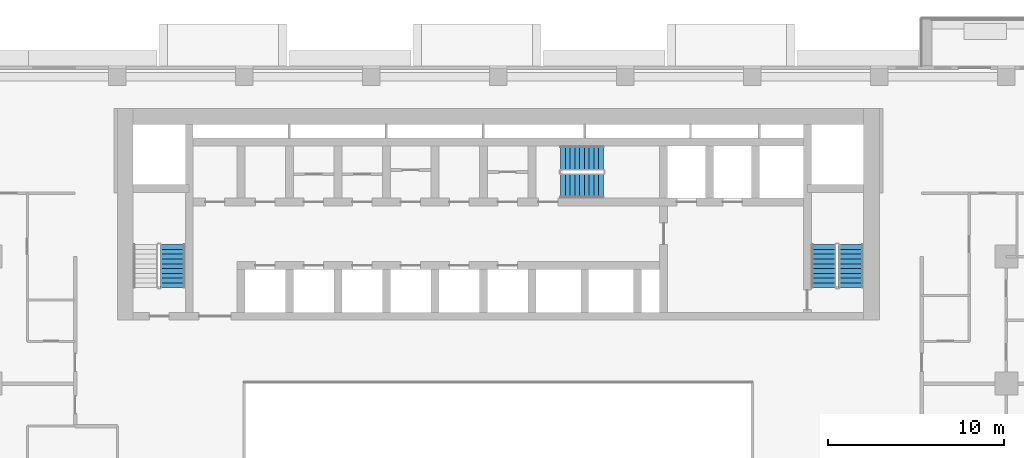
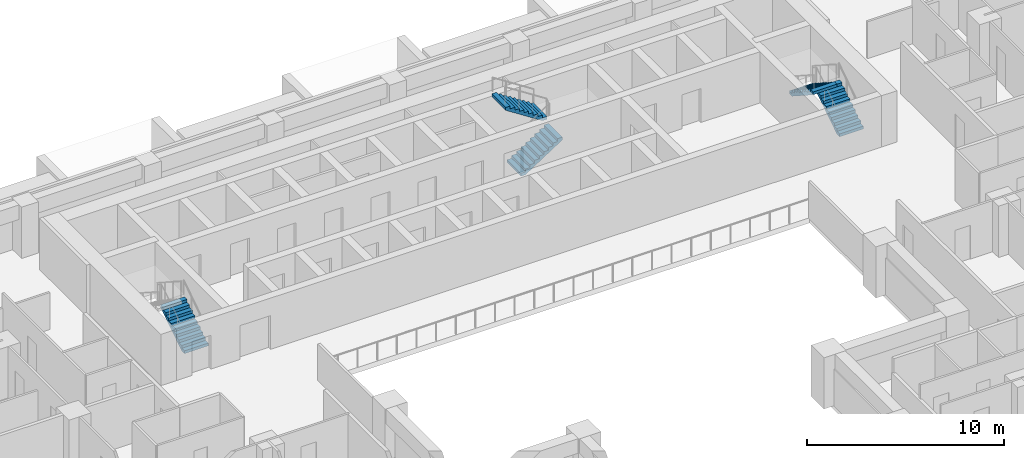
# One storey, part 13 of 17: 5 stair flights, 3 elements without a shape of their own.
"""IFC4 building model written with IfcOpenShell, lengths in metres."""

from ifc_helpers import new_model, si_unit, direction, frame, origin, place, context, subcontext, project, spatial, polyline, outline, extrude, material, layer, layer_set, type_object, element, aggregate, save


model = new_model("IFC4")

# Units and contexts
model_context = context("Model", 3, precision=1e-05, world=origin(), true_north=direction((0.0, 1.0)))
body_context = subcontext(model_context, "Body", "Model", "MODEL_VIEW")
ifc_project = project(units=[si_unit("LENGTHUNIT", "METRE"), si_unit("AREAUNIT", "SQUARE_METRE"), si_unit("VOLUMEUNIT", "CUBIC_METRE"), si_unit("PLANEANGLEUNIT", "RADIAN"), si_unit("MASSUNIT", "GRAM", prefix="KILO")], contexts=[model_context])

# Site, building, storey
site_placement = place(None, origin())
site = spatial("IfcSite", under=ifc_project, at=site_placement, CompositionType="ELEMENT")
building_placement = place(site_placement, origin())
building = spatial("IfcBuilding", under=site, at=building_placement, Name="Saffron Iwan Residences", CompositionType="ELEMENT")
storey_placement = place(building_placement, frame((0.0, 0.0, 62.0)))
storey = spatial("IfcBuildingStorey", under=building, at=storey_placement, Name="L15", CompositionType="ELEMENT", Elevation=62.0)

# Stair, stair flight
ifc_material = material(Name="Concrete C50/60", Category="concrete")
stair_type = type_object("IfcStairType", Name="Stair ST-CORE", PredefinedType="HALF_TURN_STAIR", material=ifc_material)
stair_1_placement = place(storey_placement, origin())
stair_1 = element("IfcStair", 1, at=stair_1_placement, inside=storey, type_object=stair_type, Name="L15 Exit Stair ST-W", PredefinedType="HALF_TURN_STAIR")
ifc_layer = layer(ifc_material, 0.14990234375)
ifc_layer_set = layer_set([ifc_layer], Name="Concrete C50/60")
stair_flight_type = type_object("IfcStairFlightType", Name="Stair flight SFL-RC", PredefinedType="STRAIGHT", material=ifc_layer_set)
stair_flight_1_placement = place(storey_placement, frame((31.949951171875, 67.85009765625, 0.0), z_axis=(0.0, 0.0, 1.0), x_axis=(0.0, 1.0, 0.0)))
stair_flight_1 = element("IfcStairFlight", 2, at=stair_flight_1_placement, type_object=stair_flight_type, Name="ST-W flight 1", NumberOfRisers=10, NumberOfTreads=9, PredefinedType="STRAIGHT", RiserHeight=0.175, TreadLength=0.27, context=body_context, shape_type="SweptSolid", body=[
    extrude(outline(polyline([(0.0, 0.0), (0.0, 0.175048828125), (0.27001953125, 0.175048828125), (0.27001953125, 0.35009765625), (0.5400390625, 0.35009765625), (0.5400390625, 0.52490234375), (0.81005859375, 0.52490234375), (0.81005859375, 0.699951171875), (1.080078125, 0.699951171875), (1.080078125, 0.875), (1.35009765625, 0.875), (1.35009765625, 1.050048828125), (1.6201171875, 1.050048828125), (1.6201171875, 1.22509765625), (1.889892578125, 1.22509765625), (1.889892578125, 1.39990234375), (2.159912109375, 1.39990234375), (2.159912109375, 1.574951171875), (2.429931640625, 1.574951171875), (2.429931640625, 1.75), (2.429931640625, 1.396484375), (0.275634765625, 0.0), (0.0, 0.0)])), frame((0.0, 0.699951171875, 0.0), z_axis=(0.0, -1.0, 0.0), x_axis=(1.0, 0.0, 0.0)), (0.0, 0.0, 1.0), 1.39990234375),
])
aggregate(stair_1, [stair_flight_1])

# Stair, stair flights
stair_2_placement = place(storey_placement, origin())
stair_2 = element("IfcStair", 3, at=stair_2_placement, inside=storey, type_object=stair_type, Name="L15 Exit Stair ST-C", PredefinedType="HALF_TURN_STAIR")
stair_flight_2_placement = place(storey_placement, frame((53.925048828125, 73.625, 0.0), z_axis=(0.0, 0.0, 1.0), x_axis=(1.0, 0.0, 0.0)))
stair_flight_2 = element("IfcStairFlight", 4, at=stair_flight_2_placement, type_object=stair_flight_type, Name="ST-C flight 1", NumberOfRisers=10, NumberOfTreads=9, PredefinedType="STRAIGHT", RiserHeight=0.175, TreadLength=0.27, context=body_context, shape_type="SweptSolid", body=[
    extrude(outline(polyline([(0.0, 0.0), (0.0, 0.175048828125), (0.27001953125, 0.175048828125), (0.27001953125, 0.35009765625), (0.5400390625, 0.35009765625), (0.5400390625, 0.52490234375), (0.81005859375, 0.52490234375), (0.81005859375, 0.699951171875), (1.080078125, 0.699951171875), (1.080078125, 0.875), (1.35009765625, 0.875), (1.35009765625, 1.050048828125), (1.6201171875, 1.050048828125), (1.6201171875, 1.22509765625), (1.889892578125, 1.22509765625), (1.889892578125, 1.39990234375), (2.159912109375, 1.39990234375), (2.159912109375, 1.574951171875), (2.429931640625, 1.574951171875), (2.429931640625, 1.75), (2.429931640625, 1.396484375), (0.275634765625, 0.0), (0.0, 0.0)])), frame((0.0, 0.699951171875, 0.0), z_axis=(0.0, -1.0, 0.0), x_axis=(1.0, 0.0, 0.0)), (0.0, 0.0, 1.0), 1.39990234375),
])
stair_flight_3_placement = place(storey_placement, frame((56.35498046875, 75.175048828125, 1.75), z_axis=(0.0, 0.0, 1.0), x_axis=(-1.0, 0.0, 0.0)))
stair_flight_3 = element("IfcStairFlight", 5, at=stair_flight_3_placement, type_object=stair_flight_type, Name="ST-C flight 2", NumberOfRisers=10, NumberOfTreads=9, PredefinedType="STRAIGHT", RiserHeight=0.175, TreadLength=0.27, context=body_context, shape_type="SweptSolid", body=[
    extrude(outline(polyline([(0.0, 0.0), (0.0, 0.175048828125), (0.27001953125, 0.175048828125), (0.27001953125, 0.35009765625), (0.5400390625, 0.35009765625), (0.5400390625, 0.52490234375), (0.81005859375, 0.52490234375), (0.81005859375, 0.699951171875), (1.080078125, 0.699951171875), (1.080078125, 0.875), (1.35009765625, 0.875), (1.35009765625, 1.050048828125), (1.6201171875, 1.050048828125), (1.6201171875, 1.22509765625), (1.889892578125, 1.22509765625), (1.889892578125, 1.39990234375), (2.159912109375, 1.39990234375), (2.159912109375, 1.574951171875), (2.429931640625, 1.574951171875), (2.429931640625, 1.75), (2.429931640625, 1.396484375), (0.275634765625, 0.0), (0.0, 0.0)])), frame((0.0, 0.699951171875, 0.0), z_axis=(0.0, -1.0, 0.0), x_axis=(1.0, 0.0, 0.0)), (0.0, 0.0, 1.0), 1.39990234375),
])
aggregate(stair_2, [stair_flight_2, stair_flight_3])

stair_3_placement = place(storey_placement, origin())
stair_3 = element("IfcStair", 6, at=stair_3_placement, inside=storey, type_object=stair_type, Name="L15 Exit Stair ST-E", PredefinedType="HALF_TURN_STAIR")
stair_flight_4_placement = place(storey_placement, frame((70.39990234375, 67.85009765625, 0.0), z_axis=(0.0, 0.0, 1.0), x_axis=(0.0, 1.0, 0.0)))
stair_flight_4 = element("IfcStairFlight", 7, at=stair_flight_4_placement, type_object=stair_flight_type, Name="ST-E flight 1", NumberOfRisers=10, NumberOfTreads=9, PredefinedType="STRAIGHT", RiserHeight=0.175, TreadLength=0.27, context=body_context, shape_type="SweptSolid", body=[
    extrude(outline(polyline([(0.0, 0.0), (0.0, 0.175048828125), (0.27001953125, 0.175048828125), (0.27001953125, 0.35009765625), (0.5400390625, 0.35009765625), (0.5400390625, 0.52490234375), (0.81005859375, 0.52490234375), (0.81005859375, 0.699951171875), (1.080078125, 0.699951171875), (1.080078125, 0.875), (1.35009765625, 0.875), (1.35009765625, 1.050048828125), (1.6201171875, 1.050048828125), (1.6201171875, 1.22509765625), (1.889892578125, 1.22509765625), (1.889892578125, 1.39990234375), (2.159912109375, 1.39990234375), (2.159912109375, 1.574951171875), (2.429931640625, 1.574951171875), (2.429931640625, 1.75), (2.429931640625, 1.396484375), (0.275634765625, 0.0), (0.0, 0.0)])), frame((0.0, 0.699951171875, 0.0), z_axis=(0.0, -1.0, 0.0), x_axis=(1.0, 0.0, 0.0)), (0.0, 0.0, 1.0), 1.39990234375),
])
stair_flight_5_placement = place(storey_placement, frame((68.85009765625, 70.280029296875, 1.75), z_axis=(0.0, 0.0, 1.0), x_axis=(0.0, -1.0, 0.0)))
stair_flight_5 = element("IfcStairFlight", 8, at=stair_flight_5_placement, type_object=stair_flight_type, Name="ST-E flight 2", NumberOfRisers=10, NumberOfTreads=9, PredefinedType="STRAIGHT", RiserHeight=0.175, TreadLength=0.27, context=body_context, shape_type="SweptSolid", body=[
    extrude(outline(polyline([(0.0, 0.0), (0.0, 0.175048828125), (0.27001953125, 0.175048828125), (0.27001953125, 0.35009765625), (0.5400390625, 0.35009765625), (0.5400390625, 0.52490234375), (0.81005859375, 0.52490234375), (0.81005859375, 0.699951171875), (1.080078125, 0.699951171875), (1.080078125, 0.875), (1.35009765625, 0.875), (1.35009765625, 1.050048828125), (1.6201171875, 1.050048828125), (1.6201171875, 1.22509765625), (1.889892578125, 1.22509765625), (1.889892578125, 1.39990234375), (2.159912109375, 1.39990234375), (2.159912109375, 1.574951171875), (2.429931640625, 1.574951171875), (2.429931640625, 1.75), (2.429931640625, 1.396484375), (0.275634765625, 0.0), (0.0, 0.0)])), frame((0.0, 0.699951171875, 0.0), z_axis=(0.0, -1.0, 0.0), x_axis=(1.0, 0.0, 0.0)), (0.0, 0.0, 1.0), 1.39990234375),
])
aggregate(stair_3, [stair_flight_4, stair_flight_5])

save(model, "model.ifc")
